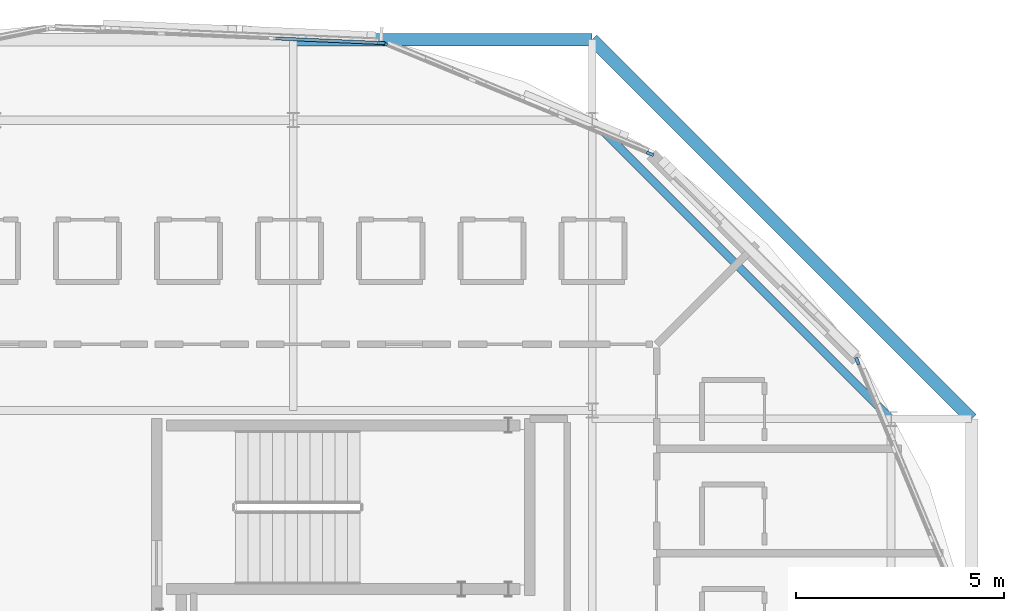
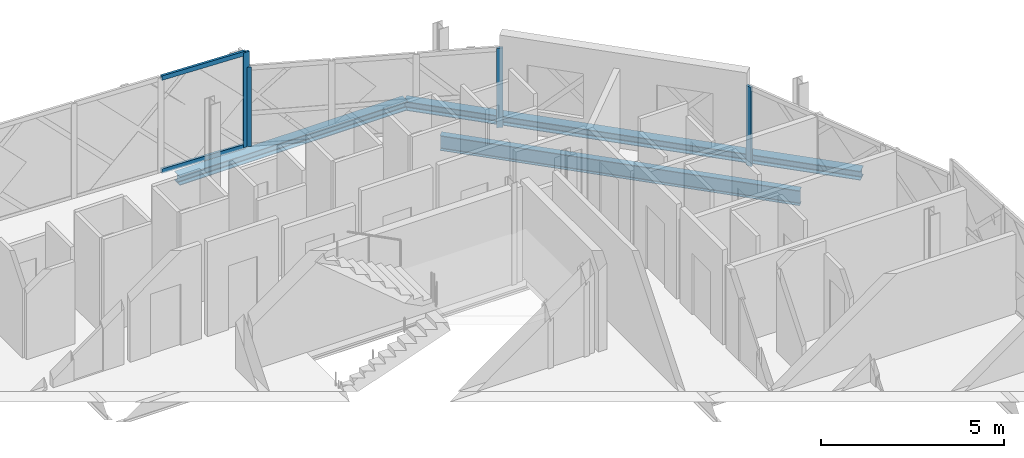
# One storey, part 10 of 24: 6 members, 3 beams, 3 elements without a shape of their own.
"""IFC4 building model written with IfcOpenShell, lengths in metres."""

from ifc_helpers import new_model, si_unit, direction, frame, origin, origin_2d, place, context, subcontext, project, spatial, rectangle, i_section, extrude, material, layer, layer_set, material_profile, profile_set, type_object, element, aggregate, save


model = new_model("IFC4")

# Units and contexts
model_context = context("Model", 3, precision=1e-05, world=origin(), true_north=direction((0.0, 1.0)))
body_context = subcontext(model_context, "Body", "Model", "MODEL_VIEW")
ifc_project = project(units=[si_unit("LENGTHUNIT", "METRE"), si_unit("AREAUNIT", "SQUARE_METRE"), si_unit("VOLUMEUNIT", "CUBIC_METRE"), si_unit("PLANEANGLEUNIT", "RADIAN"), si_unit("MASSUNIT", "GRAM", prefix="KILO")], contexts=[model_context])

# Site, building, storey
site_placement = place(None, origin())
site = spatial("IfcSite", under=ifc_project, at=site_placement, CompositionType="ELEMENT")
building_placement = place(site_placement, origin())
building = spatial("IfcBuilding", under=site, at=building_placement, Name="Zevrakil Square Congress Hotel", CompositionType="ELEMENT")
storey_placement = place(building_placement, frame((0.0, 0.0, 35.10009765625)))
storey = spatial("IfcBuildingStorey", under=building, at=storey_placement, Name="L10", CompositionType="ELEMENT", Elevation=35.10009765625)

# Beam
ifc_material_1 = material(Name="Steel S355", Category="steel")
ifc_material_profile_1 = material_profile(ifc_material_1, i_section(OverallWidth=0.199951171875, OverallDepth=0.5, WebThickness=0.01025390625, FlangeThickness=0.01611328125, FilletRadius=0.02099609375, at=origin_2d()), Name="IPE 500")
ifc_profile_set_1 = profile_set([ifc_material_profile_1], Name="Steel S355")
beam_type_1 = type_object("IfcBeamType", Name="BM-IPE500", PredefinedType="BEAM", material=ifc_profile_set_1)
beam_1_placement = place(storey_placement, frame((163.199951171875, 38.39990234375, -0.47998046875), z_axis=(-0.70709479277, 0.7071187694, 0.0), x_axis=(-0.7071187694, -0.70709479277, 0.0)))
element("IfcBeam", 1, at=beam_1_placement, inside=storey, type_object=beam_type_1, Name="L10 drum ring girder DRB-08", PredefinedType="BEAM", context=body_context, shape_type="SweptSolid", body=[
    extrude(i_section(OverallWidth=0.199951171875, OverallDepth=0.5, WebThickness=0.01025390625, FlangeThickness=0.01611328125, FilletRadius=0.02099609375, at=origin_2d()), origin(), (0.0, 0.0, 1.0), 10.182373046875),
])

# Curtain wall, members
ifc_material_2 = material(Name="Aluminium Anodised Bronze", Category="aluminium")
ifc_layer_1 = layer(ifc_material_2, 0.179931640625)
ifc_layer_set_1 = layer_set([ifc_layer_1], Name="Aluminium Anodised Bronze")
curtain_wall_type_1 = type_object("IfcCurtainWallType", Name="CW-L10-840", PredefinedType="USERDEFINED", material=ifc_layer_set_1)
curtain_wall_1_placement = place(storey_placement, origin())
curtain_wall_1 = element("IfcCurtainWall", 2, at=curtain_wall_1_placement, inside=storey, type_object=curtain_wall_type_1, Name="L10 diamond curtain wall CW-L10-0277", ObjectType="GLAZED CURTAIN WALL", PredefinedType="USERDEFINED")
ifc_material_3 = material(Name="Aluminium Anodised Bronze", Category="aluminium")
ifc_material_profile_2 = material_profile(ifc_material_3, rectangle(XDim=0.074951171875, YDim=0.14990234375, at=origin_2d()), Name="ALU 75x150")
ifc_profile_set_2 = profile_set([ifc_material_profile_2], Name="Aluminium Anodised Bronze")
member_type_1 = type_object("IfcMemberType", Name="CWM-ALU75x150", PredefinedType="USERDEFINED", material=ifc_profile_set_2)
member_1_placement = place(storey_placement, frame((150.889892578125, 47.45947265625, 0.02978515625), z_axis=(-0.999067203781, 0.043182430798, 0.0), x_axis=(-0.043182430798, -0.999067203781, 0.0)))
member_1 = element("IfcMember", 3, at=member_1_placement, type_object=member_type_1, Name="CW-119 transom 1.1", ObjectType="TRANSOM", PredefinedType="USERDEFINED", context=body_context, shape_type="SweptSolid", body=[
    extrude(rectangle(XDim=0.074951171875, YDim=0.14990234375, at=origin_2d()), origin(), (0.0, 0.0, 1.0), 2.578125),
])
member_2_placement = place(storey_placement, frame((150.889892578125, 47.45947265625, 3.135009765625), z_axis=(-0.999067203781, 0.043182430798, 0.0), x_axis=(-0.043182430798, -0.999067203781, 0.0)))
member_2 = element("IfcMember", 4, at=member_2_placement, type_object=member_type_1, Name="CW-119 transom 1.2", ObjectType="TRANSOM", PredefinedType="USERDEFINED", context=body_context, shape_type="SweptSolid", body=[
    extrude(rectangle(XDim=0.074951171875, YDim=0.14990234375, at=origin_2d()), origin(), (0.0, 0.0, 1.0), 2.578125),
])

# Curtain wall, member
ifc_material_4 = material(Name="Aluminium Anodised Bronze", Category="aluminium")
ifc_layer_2 = layer(ifc_material_4, 0.179931640625)
ifc_layer_set_2 = layer_set([ifc_layer_2], Name="Aluminium Anodised Bronze")
curtain_wall_type_2 = type_object("IfcCurtainWallType", Name="CW-L10-720", PredefinedType="USERDEFINED", material=ifc_layer_set_2)
curtain_wall_2_placement = place(storey_placement, origin())
curtain_wall_2 = element("IfcCurtainWall", 5, at=curtain_wall_2_placement, inside=storey, type_object=curtain_wall_type_2, Name="L10 diamond curtain wall CW-L10-0275", ObjectType="GLAZED CURTAIN WALL", PredefinedType="USERDEFINED")
ifc_material_5 = material(Name="Aluminium Anodised Bronze", Category="aluminium")
ifc_material_profile_3 = material_profile(ifc_material_5, rectangle(XDim=0.074951171875, YDim=0.179931640625, at=origin_2d()), Name="ALU 75x180")
ifc_profile_set_3 = profile_set([ifc_material_profile_3], Name="Aluminium Anodised Bronze")
member_type_2 = type_object("IfcMemberType", Name="CWM-ALU75x180", PredefinedType="MULLION", material=ifc_profile_set_3)
member_3_placement = place(storey_placement, frame((162.387451171875, 39.794677734375, 0.0), z_axis=(0.0, 0.0, 1.0), x_axis=(-0.92387939537, -0.382683763454, 0.0)))
member_3 = element("IfcMember", 6, at=member_3_placement, type_object=member_type_2, Name="CW-118 mullion 4", PredefinedType="MULLION", context=body_context, shape_type="SweptSolid", body=[
    extrude(rectangle(XDim=0.074951171875, YDim=0.179931640625, at=origin_2d()), origin(), (0.0, 0.0, 1.0), 2.64990234375),
])
aggregate(curtain_wall_2, [member_3])

# Curtain wall, members
curtain_wall_3_placement = place(storey_placement, origin())
curtain_wall_3 = element("IfcCurtainWall", 7, at=curtain_wall_3_placement, inside=storey, type_object=curtain_wall_type_2, Name="L10 diamond curtain wall CW-L10-0276", ObjectType="GLAZED CURTAIN WALL", PredefinedType="USERDEFINED")
member_4_placement = place(storey_placement, frame((157.39453125, 44.78759765625, 0.0), z_axis=(0.0, 0.0, 1.0), x_axis=(-0.382683763454, -0.92387939537, 0.0)))
member_4 = element("IfcMember", 8, at=member_4_placement, type_object=member_type_2, Name="CW-118 mullion 1", PredefinedType="MULLION", context=body_context, shape_type="SweptSolid", body=[
    extrude(rectangle(XDim=0.074951171875, YDim=0.179931640625, at=origin_2d()), origin(), (0.0, 0.0, 1.0), 2.64990234375),
])
member_5_placement = place(storey_placement, frame((150.9775390625, 47.445556640625, 0.0), z_axis=(0.0, 0.0, 1.0), x_axis=(-0.382683763454, -0.92387939537, 0.0)))
member_5 = element("IfcMember", 9, at=member_5_placement, type_object=member_type_2, Name="CW-118 mullion 4", PredefinedType="MULLION", context=body_context, shape_type="SweptSolid", body=[
    extrude(rectangle(XDim=0.074951171875, YDim=0.179931640625, at=origin_2d()), origin(), (0.0, 0.0, 1.0), 2.64990234375),
])
aggregate(curtain_wall_3, [member_4, member_5])

# Member
member_6_placement = place(storey_placement, frame((150.919921875, 47.458251953125, 0.0), z_axis=(0.0, 0.0, 1.0), x_axis=(-0.043102163504, -0.999070669923, 0.0)))
member_6 = element("IfcMember", 10, at=member_6_placement, type_object=member_type_2, Name="CW-119 mullion 1", PredefinedType="MULLION", context=body_context, shape_type="SweptSolid", body=[
    extrude(rectangle(XDim=0.074951171875, YDim=0.179931640625, at=origin_2d()), origin(), (0.0, 0.0, 1.0), 3.164794921875),
])

aggregate(curtain_wall_1, [member_6, member_1, member_2])

# Beams
ifc_material_6 = material(Name="Steel S355", Category="steel")
ifc_material_profile_4 = material_profile(ifc_material_6, i_section(OverallWidth=0.300048828125, OverallDepth=0.300048828125, WebThickness=0.010986328125, FlangeThickness=0.01904296875, FilletRadius=0.027099609375, at=origin_2d()), Name="HEB 300")
ifc_profile_set_4 = profile_set([ifc_material_profile_4], Name="Steel S355")
beam_type_2 = type_object("IfcBeamType", Name="SPD-RHS250", PredefinedType="SPANDREL", material=ifc_profile_set_4)
beam_2_placement = place(storey_placement, frame((165.14208984375, 38.39990234375, -0.380126953125), z_axis=(-0.707106781187, 0.707106781187, 0.0), x_axis=(-0.707106781187, -0.707106781187, 0.0)))
element("IfcBeam", 11, at=beam_2_placement, inside=storey, type_object=beam_type_2, Name="L10 drum edge spandrel beam DSP-07", PredefinedType="SPANDREL", context=body_context, shape_type="SweptSolid", body=[
    extrude(i_section(OverallWidth=0.300048828125, OverallDepth=0.300048828125, WebThickness=0.010986328125, FlangeThickness=0.01904296875, FilletRadius=0.027099609375, at=origin_2d()), origin(), (0.0, 0.0, 1.0), 12.928955078125),
])
beam_3_placement = place(storey_placement, frame((156.0, 47.5419921875, -0.380126953125), z_axis=(-1.0, 0.0, 0.0), x_axis=(0.0, -1.0, 0.0)))
element("IfcBeam", 12, at=beam_3_placement, inside=storey, type_object=beam_type_2, Name="L10 drum edge spandrel beam DSP-08", PredefinedType="SPANDREL", context=body_context, shape_type="SweptSolid", body=[
    extrude(i_section(OverallWidth=0.300048828125, OverallDepth=0.300048828125, WebThickness=0.010986328125, FlangeThickness=0.01904296875, FilletRadius=0.027099609375, at=origin_2d()), origin(), (0.0, 0.0, 1.0), 7.199951171875),
])

save(model, "model.ifc")
